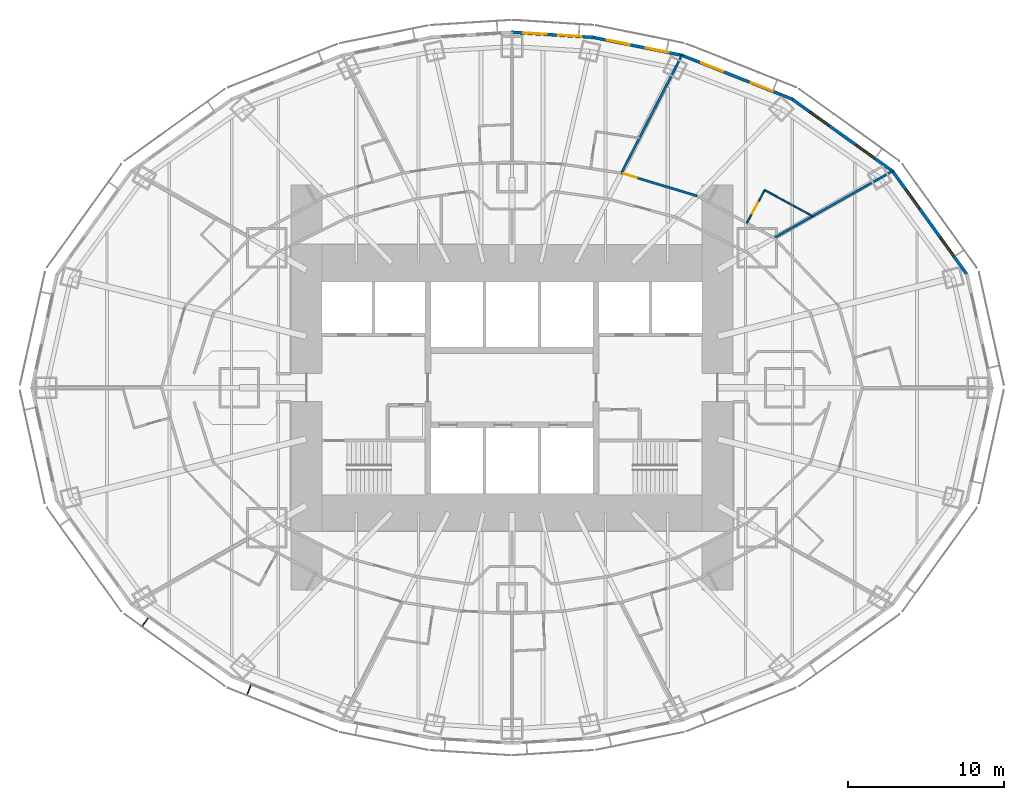
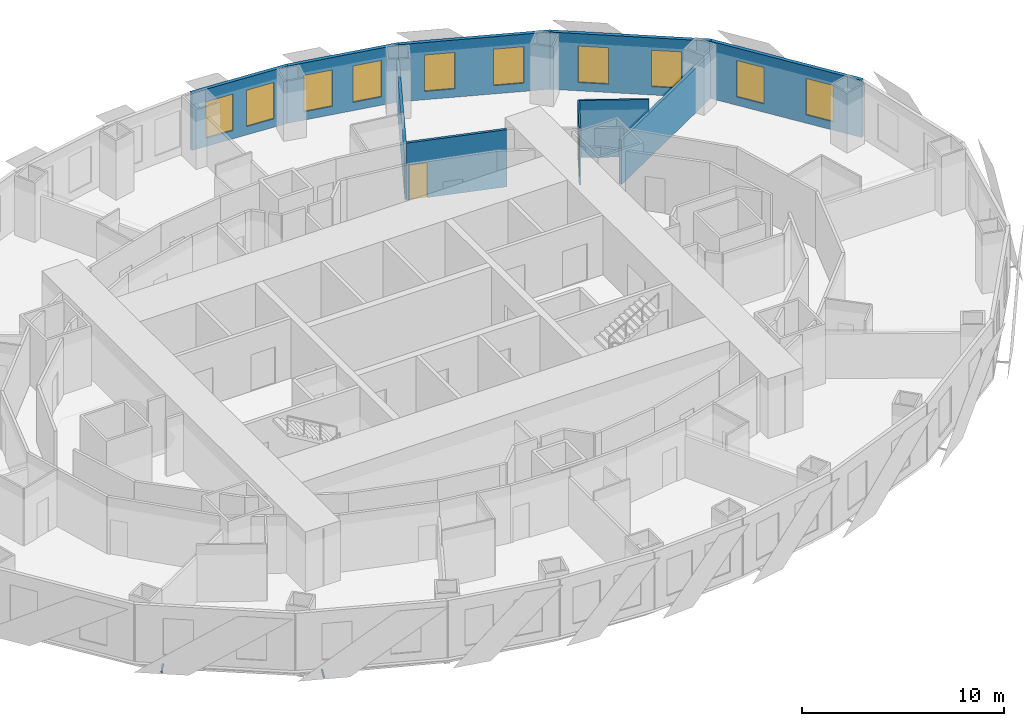
# One storey, part 10 of 15: 10 walls, 10 windows, 2 discrete accessories, 2 doors, 12 openings.
"""IFC4 building model written with IfcOpenShell, lengths in metres."""

from ifc_helpers import new_model, si_unit, direction, frame, frame_2d, origin, origin_2d, place, context, subcontext, project, spatial, rectangle, extrude, material, layer, layer_set, type_object, element, fill, save


model = new_model("IFC4")

# Units and contexts
model_context = context("Model", 3, precision=1e-05, world=origin(), true_north=direction((0.0, 1.0)))
body_context = subcontext(model_context, "Body", "Model", "MODEL_VIEW")
ifc_project = project(units=[si_unit("LENGTHUNIT", "METRE"), si_unit("AREAUNIT", "SQUARE_METRE"), si_unit("VOLUMEUNIT", "CUBIC_METRE"), si_unit("PLANEANGLEUNIT", "RADIAN"), si_unit("MASSUNIT", "GRAM", prefix="KILO")], contexts=[model_context])

# Site, building, storey
site_placement = place(None, origin())
site = spatial("IfcSite", under=ifc_project, at=site_placement, CompositionType="ELEMENT")
building_placement = place(site_placement, origin())
building = spatial("IfcBuilding", under=site, at=building_placement, Name="Lantaw Convention Tower", CompositionType="ELEMENT")
storey_placement = place(building_placement, frame((0.0, 0.0, 83.800048828125)))
storey = spatial("IfcBuildingStorey", under=building, at=storey_placement, Name="L19", CompositionType="ELEMENT", Elevation=83.800048828125)

# Wall, opening, door
ifc_material_1 = material(Name="Moisture resistant gypsum board on steel studs", Category="steel")
ifc_layer_1 = layer(ifc_material_1, 0.10009765625)
ifc_layer_set_1 = layer_set([ifc_layer_1], Name="Bathroom wall 100")
wall_type_1 = type_object("IfcWallType", Name="Bathroom wall 100", PredefinedType="PARTITIONING", material=ifc_layer_set_1)
wall_1_placement = place(storey_placement, frame((15.078125, 10.57568359375, 0.0), z_axis=(0.0, 0.0, 1.0), x_axis=(0.477832549678, 0.878450940274, 0.0)))
wall_1 = element("IfcWall", 1, at=wall_1_placement, inside=storey, type_object=wall_type_1, Name="Bathroom wall 100", PredefinedType="PARTITIONING", context=body_context, shape_type="SweptSolid", body=[
    extrude(rectangle(XDim=2.39990234375, YDim=0.10009765625, at=frame_2d((1.199951171875, 0.0))), origin(), (0.0, 0.0, 1.0), 3.449951171875),
])
opening_1_placement = place(wall_1_placement, frame((0.699951171875, 0.0, 0.0)))
opening_1 = element("IfcOpeningElement", 2, at=opening_1_placement, cuts=wall_1, Name="Opening L19.27", PredefinedType="OPENING", context=body_context, shape_type="SweptSolid", body=[
    extrude(rectangle(XDim=0.800048828125, YDim=2.10009765625, at=frame_2d((0.39990234375, 1.050048828125))), frame((0.0, 0.06005859375, 0.0), z_axis=(0.0, -1.0, 0.0), x_axis=(1.0, 0.0, 0.0)), (0.0, 0.0, 1.0), 0.1201171875),
])
ifc_material_2 = material(Name="Timber", Category="wood")
door_type_1 = type_object("IfcDoorType", Name="Bathroom door 800", OperationType="SINGLE_SWING_LEFT", PredefinedType="DOOR", material=ifc_material_2)
door_1_placement = place(opening_1_placement, origin())
door_1 = element("IfcDoor", 3, at=door_1_placement, inside=storey, type_object=door_type_1, Name="Bathroom door", OperationType="SINGLE_SWING_LEFT", OverallHeight=2.10009765625, OverallWidth=0.800048828125, PredefinedType="DOOR", context=body_context, shape_type="SweptSolid", body=[
    extrude(rectangle(XDim=0.800048828125, YDim=2.10009765625, at=frame_2d((0.39990234375, 1.050048828125))), frame((0.0, 0.02490234375, 0.0), z_axis=(0.0, -1.0, 0.0), x_axis=(1.0, 0.0, 0.0)), (0.0, 0.0, 1.0), 0.050048828125),
])
fill(opening_1, door_1)

# Wall
wall_2_placement = place(storey_placement, frame((16.224853515625, 12.683837890625, 0.0), z_axis=(0.0, 0.0, 1.0), x_axis=(0.878473578893, -0.477790928322, 0.0)))
element("IfcWall", 4, at=wall_2_placement, inside=storey, type_object=wall_type_1, Name="Bathroom wall 100", PredefinedType="PARTITIONING", context=body_context, shape_type="SweptSolid", body=[
    extrude(rectangle(XDim=3.48291015625, YDim=0.10009765625, at=frame_2d((1.741455078125, 0.0))), origin(), (0.0, 0.0, 1.0), 3.449951171875),
])

# Wall, opening, door
ifc_material_3 = material(Name="Gypsum board on steel studs, fire rated", Category="steel")
ifc_layer_2 = layer(ifc_material_3, 0.14990234375)
ifc_layer_set_2 = layer_set([ifc_layer_2], Name="Corridor wall 150 EI 60")
wall_type_2 = type_object("IfcWallType", Name="Corridor wall 150 EI 60", PredefinedType="PARTITIONING", material=ifc_layer_set_2)
wall_3_placement = place(storey_placement, frame((11.888427734375, 12.310791015625, 0.0), z_axis=(0.0, 0.0, 1.0), x_axis=(-0.957564241242, 0.288219922793, 0.0)))
wall_3 = element("IfcWall", 5, at=wall_3_placement, inside=storey, type_object=wall_type_2, Name="Corridor wall 150", PredefinedType="PARTITIONING", context=body_context, shape_type="SweptSolid", body=[
    extrude(rectangle(XDim=5.0849609375, YDim=0.14990234375, at=frame_2d((2.54248046875, 0.0))), origin(), (0.0, 0.0, 1.0), 3.449951171875),
])
opening_2_placement = place(wall_3_placement, frame((4.03466796875, 0.0, 0.0)))
opening_2 = element("IfcOpeningElement", 6, at=opening_2_placement, cuts=wall_3, Name="Opening L19.28", PredefinedType="OPENING", context=body_context, shape_type="SweptSolid", body=[
    extrude(rectangle(XDim=0.89990234375, YDim=2.10009765625, at=frame_2d((0.449951171875, 1.050048828125))), frame((0.0, 0.0849609375, 0.0), z_axis=(0.0, -1.0, 0.0), x_axis=(1.0, 0.0, 0.0)), (0.0, 0.0, 1.0), 0.169921875),
])
ifc_material_4 = material(Name="Steel, fire rated", Category="steel")
door_type_2 = type_object("IfcDoorType", Name="Guest room entrance door FD30S", OperationType="SINGLE_SWING_LEFT", PredefinedType="DOOR", material=ifc_material_4)
door_2_placement = place(opening_2_placement, origin())
door_2 = element("IfcDoor", 7, at=door_2_placement, inside=storey, type_object=door_type_2, Name="Junior suite entrance door", OperationType="SINGLE_SWING_LEFT", OverallHeight=2.10009765625, OverallWidth=0.89990234375, PredefinedType="DOOR", context=body_context, shape_type="SweptSolid", body=[
    extrude(rectangle(XDim=0.89990234375, YDim=2.10009765625, at=frame_2d((0.449951171875, 1.050048828125))), frame((0.0, 0.02490234375, 0.0), z_axis=(0.0, -1.0, 0.0), x_axis=(1.0, 0.0, 0.0)), (0.0, 0.0, 1.0), 0.050048828125),
])
fill(opening_2, door_2)

# Wall, openings, windows
ifc_material_5 = material(Name="Insulated aluminium panel on steel frame", Category="steel")
ifc_layer_3 = layer(ifc_material_5, 0.199951171875)
ifc_layer_set_3 = layer_set([ifc_layer_3], Name="External wall 200")
wall_type_3 = type_object("IfcWallType", Name="External wall 200", PredefinedType="SOLIDWALL", material=ifc_layer_set_3)
wall_4_placement = place(storey_placement, frame((29.260498046875, 7.199951171875, 0.0), z_axis=(0.0, 0.0, 1.0), x_axis=(-0.583937613703, 0.811798536155, 0.0)))
wall_4 = element("IfcWall", 8, at=wall_4_placement, inside=storey, type_object=wall_type_3, Name="Facade panel wall", PredefinedType="SOLIDWALL", context=body_context, shape_type="SweptSolid", body=[
    extrude(rectangle(XDim=8.322998046875, YDim=0.199951171875, at=frame_2d((4.16162109375, 0.0))), origin(), (0.0, 0.0, 1.0), 3.449951171875),
])
opening_3_placement = place(wall_4_placement, frame((1.53076171875, 0.0, 0.5)))
opening_3 = element("IfcOpeningElement", 9, at=opening_3_placement, cuts=wall_4, Name="Opening W2", PredefinedType="OPENING", context=body_context, shape_type="SweptSolid", body=[
    extrude(rectangle(XDim=1.5, YDim=2.199951171875, at=frame_2d((0.75, 1.10009765625))), frame((0.0, 0.10986328125, 0.0), z_axis=(0.0, -1.0, 0.0), x_axis=(1.0, 0.0, 0.0)), (0.0, 0.0, 1.0), 0.219970703125),
])
opening_4_placement = place(wall_4_placement, frame((5.292236328125, 0.0, 0.5)))
opening_4 = element("IfcOpeningElement", 10, at=opening_4_placement, cuts=wall_4, Name="Opening W2", PredefinedType="OPENING", context=body_context, shape_type="SweptSolid", body=[
    extrude(rectangle(XDim=1.5, YDim=2.199951171875, at=frame_2d((0.75, 1.10009765625))), frame((0.0, 0.10986328125, 0.0), z_axis=(0.0, -1.0, 0.0), x_axis=(1.0, 0.0, 0.0)), (0.0, 0.0, 1.0), 0.219970703125),
])
ifc_material_6 = material(Name="Aluminium frame, clear insulating glass", Category="aluminium")
window_type = type_object("IfcWindowType", Name="Suite window 1500x2200", PartitioningType="SINGLE_PANEL", PredefinedType="WINDOW", material=ifc_material_6)
window_1_placement = place(opening_3_placement, origin())
window_1 = element("IfcWindow", 11, at=window_1_placement, inside=storey, type_object=window_type, Name="Guest room window", OverallHeight=2.199951171875, OverallWidth=1.5, PartitioningType="SINGLE_PANEL", PredefinedType="WINDOW", context=body_context, shape_type="SweptSolid", body=[
    extrude(rectangle(XDim=1.5, YDim=2.199951171875, at=frame_2d((0.75, 1.10009765625))), frame((0.0, 0.030029296875, 0.0), z_axis=(0.0, -1.0, 0.0), x_axis=(1.0, 0.0, 0.0)), (0.0, 0.0, 1.0), 0.06005859375),
])
fill(opening_3, window_1)
window_2_placement = place(opening_4_placement, origin())
window_2 = element("IfcWindow", 12, at=window_2_placement, inside=storey, type_object=window_type, Name="Guest room window", OverallHeight=2.199951171875, OverallWidth=1.5, PartitioningType="SINGLE_PANEL", PredefinedType="WINDOW", context=body_context, shape_type="SweptSolid", body=[
    extrude(rectangle(XDim=1.5, YDim=2.199951171875, at=frame_2d((0.75, 1.10009765625))), frame((0.0, 0.030029296875, 0.0), z_axis=(0.0, -1.0, 0.0), x_axis=(1.0, 0.0, 0.0)), (0.0, 0.0, 1.0), 0.06005859375),
])
fill(opening_4, window_2)

wall_5_placement = place(storey_placement, frame((24.482421875, 13.87451171875, 0.0), z_axis=(0.0, 0.0, 1.0), x_axis=(-0.812791321576, 0.582554948112, 0.0)))
wall_5 = element("IfcWall", 13, at=wall_5_placement, inside=storey, type_object=wall_type_3, Name="Facade panel wall", PredefinedType="SOLIDWALL", context=body_context, shape_type="SweptSolid", body=[
    extrude(rectangle(XDim=8.063232421875, YDim=0.199951171875, at=frame_2d((4.03173828125, 0.0))), origin(), (0.0, 0.0, 1.0), 3.449951171875),
])
opening_5_placement = place(wall_5_placement, frame((1.4658203125, 0.0, 0.5)))
opening_5 = element("IfcOpeningElement", 14, at=opening_5_placement, cuts=wall_5, Name="Opening W2", PredefinedType="OPENING", context=body_context, shape_type="SweptSolid", body=[
    extrude(rectangle(XDim=1.5, YDim=2.199951171875, at=frame_2d((0.75, 1.10009765625))), frame((0.0, 0.10986328125, 0.0), z_axis=(0.0, -1.0, 0.0), x_axis=(1.0, 0.0, 0.0)), (0.0, 0.0, 1.0), 0.219970703125),
])
opening_6_placement = place(wall_5_placement, frame((5.097412109375, 0.0, 0.5)))
opening_6 = element("IfcOpeningElement", 15, at=opening_6_placement, cuts=wall_5, Name="Opening W2", PredefinedType="OPENING", context=body_context, shape_type="SweptSolid", body=[
    extrude(rectangle(XDim=1.5, YDim=2.199951171875, at=frame_2d((0.75, 1.10009765625))), frame((0.0, 0.10986328125, 0.0), z_axis=(0.0, -1.0, 0.0), x_axis=(1.0, 0.0, 0.0)), (0.0, 0.0, 1.0), 0.219970703125),
])
window_3_placement = place(opening_5_placement, origin())
window_3 = element("IfcWindow", 16, at=window_3_placement, inside=storey, type_object=window_type, Name="Guest room window", OverallHeight=2.199951171875, OverallWidth=1.5, PartitioningType="SINGLE_PANEL", PredefinedType="WINDOW", context=body_context, shape_type="SweptSolid", body=[
    extrude(rectangle(XDim=1.5, YDim=2.199951171875, at=frame_2d((0.75, 1.10009765625))), frame((0.0, 0.030029296875, 0.0), z_axis=(0.0, -1.0, 0.0), x_axis=(1.0, 0.0, 0.0)), (0.0, 0.0, 1.0), 0.06005859375),
])
fill(opening_5, window_3)
window_4_placement = place(opening_6_placement, origin())
window_4 = element("IfcWindow", 17, at=window_4_placement, inside=storey, type_object=window_type, Name="Guest room window", OverallHeight=2.199951171875, OverallWidth=1.5, PartitioningType="SINGLE_PANEL", PredefinedType="WINDOW", context=body_context, shape_type="SweptSolid", body=[
    extrude(rectangle(XDim=1.5, YDim=2.199951171875, at=frame_2d((0.75, 1.10009765625))), frame((0.0, 0.030029296875, 0.0), z_axis=(0.0, -1.0, 0.0), x_axis=(1.0, 0.0, 0.0)), (0.0, 0.0, 1.0), 0.06005859375),
])
fill(opening_6, window_4)

wall_6_placement = place(storey_placement, frame((18.018310546875, 18.522705078125, 0.0), z_axis=(0.0, 0.0, 1.0), x_axis=(-0.929358351251, 0.369178892895, 0.0)))
wall_6 = element("IfcWall", 18, at=wall_6_placement, inside=storey, type_object=wall_type_3, Name="Facade panel wall", PredefinedType="SOLIDWALL", context=body_context, shape_type="SweptSolid", body=[
    extrude(rectangle(XDim=7.6923828125, YDim=0.199951171875, at=frame_2d((3.84619140625, 0.0))), origin(), (0.0, 0.0, 1.0), 3.449951171875),
])
opening_7_placement = place(wall_6_placement, frame((1.373046875, 0.0, 0.5)))
opening_7 = element("IfcOpeningElement", 19, at=opening_7_placement, cuts=wall_6, Name="Opening W2", PredefinedType="OPENING", context=body_context, shape_type="SweptSolid", body=[
    extrude(rectangle(XDim=1.5, YDim=2.199951171875, at=frame_2d((0.75, 1.10009765625))), frame((0.0, 0.10986328125, 0.0), z_axis=(0.0, -1.0, 0.0), x_axis=(1.0, 0.0, 0.0)), (0.0, 0.0, 1.0), 0.219970703125),
])
opening_8_placement = place(wall_6_placement, frame((4.819091796875, 0.0, 0.5)))
opening_8 = element("IfcOpeningElement", 20, at=opening_8_placement, cuts=wall_6, Name="Opening W2", PredefinedType="OPENING", context=body_context, shape_type="SweptSolid", body=[
    extrude(rectangle(XDim=1.5, YDim=2.199951171875, at=frame_2d((0.75, 1.10009765625))), frame((0.0, 0.10986328125, 0.0), z_axis=(0.0, -1.0, 0.0), x_axis=(1.0, 0.0, 0.0)), (0.0, 0.0, 1.0), 0.219970703125),
])
window_5_placement = place(opening_7_placement, origin())
window_5 = element("IfcWindow", 21, at=window_5_placement, inside=storey, type_object=window_type, Name="Guest room window", OverallHeight=2.199951171875, OverallWidth=1.5, PartitioningType="SINGLE_PANEL", PredefinedType="WINDOW", context=body_context, shape_type="SweptSolid", body=[
    extrude(rectangle(XDim=1.5, YDim=2.199951171875, at=frame_2d((0.75, 1.10009765625))), frame((0.0, 0.030029296875, 0.0), z_axis=(0.0, -1.0, 0.0), x_axis=(1.0, 0.0, 0.0)), (0.0, 0.0, 1.0), 0.06005859375),
])
fill(opening_7, window_5)
window_6_placement = place(opening_8_placement, origin())
window_6 = element("IfcWindow", 22, at=window_6_placement, inside=storey, type_object=window_type, Name="Guest room window", OverallHeight=2.199951171875, OverallWidth=1.5, PartitioningType="SINGLE_PANEL", PredefinedType="WINDOW", context=body_context, shape_type="SweptSolid", body=[
    extrude(rectangle(XDim=1.5, YDim=2.199951171875, at=frame_2d((0.75, 1.10009765625))), frame((0.0, 0.030029296875, 0.0), z_axis=(0.0, -1.0, 0.0), x_axis=(1.0, 0.0, 0.0)), (0.0, 0.0, 1.0), 0.06005859375),
])
fill(opening_8, window_6)

wall_7_placement = place(storey_placement, frame((10.956787109375, 21.336669921875, 0.0), z_axis=(0.0, 0.0, 1.0), x_axis=(-0.980251657452, 0.197754110105, 0.0)))
wall_7 = element("IfcWall", 23, at=wall_7_placement, inside=storey, type_object=wall_type_3, Name="Facade panel wall", PredefinedType="SOLIDWALL", context=body_context, shape_type="SweptSolid", body=[
    extrude(rectangle(XDim=5.90380859375, YDim=0.199951171875, at=frame_2d((2.951904296875, 0.0))), origin(), (0.0, 0.0, 1.0), 3.449951171875),
])
opening_9_placement = place(wall_7_placement, frame((0.92578125, 0.0, 0.5)))
opening_9 = element("IfcOpeningElement", 24, at=opening_9_placement, cuts=wall_7, Name="Opening W2", PredefinedType="OPENING", context=body_context, shape_type="SweptSolid", body=[
    extrude(rectangle(XDim=1.5, YDim=2.199951171875, at=frame_2d((0.75, 1.10009765625))), frame((0.0, 0.10986328125, 0.0), z_axis=(0.0, -1.0, 0.0), x_axis=(1.0, 0.0, 0.0)), (0.0, 0.0, 1.0), 0.219970703125),
])
opening_10_placement = place(wall_7_placement, frame((3.477783203125, 0.0, 0.5)))
opening_10 = element("IfcOpeningElement", 25, at=opening_10_placement, cuts=wall_7, Name="Opening W2", PredefinedType="OPENING", context=body_context, shape_type="SweptSolid", body=[
    extrude(rectangle(XDim=1.5, YDim=2.199951171875, at=frame_2d((0.75, 1.10009765625))), frame((0.0, 0.10986328125, 0.0), z_axis=(0.0, -1.0, 0.0), x_axis=(1.0, 0.0, 0.0)), (0.0, 0.0, 1.0), 0.219970703125),
])
window_7_placement = place(opening_9_placement, origin())
window_7 = element("IfcWindow", 26, at=window_7_placement, inside=storey, type_object=window_type, Name="Guest room window", OverallHeight=2.199951171875, OverallWidth=1.5, PartitioningType="SINGLE_PANEL", PredefinedType="WINDOW", context=body_context, shape_type="SweptSolid", body=[
    extrude(rectangle(XDim=1.5, YDim=2.199951171875, at=frame_2d((0.75, 1.10009765625))), frame((0.0, 0.030029296875, 0.0), z_axis=(0.0, -1.0, 0.0), x_axis=(1.0, 0.0, 0.0)), (0.0, 0.0, 1.0), 0.06005859375),
])
fill(opening_9, window_7)
window_8_placement = place(opening_10_placement, origin())
window_8 = element("IfcWindow", 27, at=window_8_placement, inside=storey, type_object=window_type, Name="Guest room window", OverallHeight=2.199951171875, OverallWidth=1.5, PartitioningType="SINGLE_PANEL", PredefinedType="WINDOW", context=body_context, shape_type="SweptSolid", body=[
    extrude(rectangle(XDim=1.5, YDim=2.199951171875, at=frame_2d((0.75, 1.10009765625))), frame((0.0, 0.030029296875, 0.0), z_axis=(0.0, -1.0, 0.0), x_axis=(1.0, 0.0, 0.0)), (0.0, 0.0, 1.0), 0.06005859375),
])
fill(opening_10, window_8)

wall_8_placement = place(storey_placement, frame((5.252685546875, 22.493408203125, 0.0), z_axis=(0.0, 0.0, 1.0), x_axis=(-0.998018582375, 0.062919863585, 0.0)))
wall_8 = element("IfcWall", 28, at=wall_8_placement, inside=storey, type_object=wall_type_3, Name="Facade panel wall", PredefinedType="SOLIDWALL", context=body_context, shape_type="SweptSolid", body=[
    extrude(rectangle(XDim=5.30419921875, YDim=0.199951171875, at=frame_2d((2.652099609375, 0.0))), origin(), (0.0, 0.0, 1.0), 3.449951171875),
])
opening_11_placement = place(wall_8_placement, frame((0.77587890625, 0.0, 0.5)))
opening_11 = element("IfcOpeningElement", 29, at=opening_11_placement, cuts=wall_8, Name="Opening W2", PredefinedType="OPENING", context=body_context, shape_type="SweptSolid", body=[
    extrude(rectangle(XDim=1.5, YDim=2.199951171875, at=frame_2d((0.75, 1.10009765625))), frame((0.0, 0.10986328125, 0.0), z_axis=(0.0, -1.0, 0.0), x_axis=(1.0, 0.0, 0.0)), (0.0, 0.0, 1.0), 0.219970703125),
])
opening_12_placement = place(wall_8_placement, frame((3.028076171875, 0.0, 0.5)))
opening_12 = element("IfcOpeningElement", 30, at=opening_12_placement, cuts=wall_8, Name="Opening W2", PredefinedType="OPENING", context=body_context, shape_type="SweptSolid", body=[
    extrude(rectangle(XDim=1.5, YDim=2.199951171875, at=frame_2d((0.75, 1.10009765625))), frame((0.0, 0.10986328125, 0.0), z_axis=(0.0, -1.0, 0.0), x_axis=(1.0, 0.0, 0.0)), (0.0, 0.0, 1.0), 0.219970703125),
])
window_9_placement = place(opening_11_placement, origin())
window_9 = element("IfcWindow", 31, at=window_9_placement, inside=storey, type_object=window_type, Name="Guest room window", OverallHeight=2.199951171875, OverallWidth=1.5, PartitioningType="SINGLE_PANEL", PredefinedType="WINDOW", context=body_context, shape_type="SweptSolid", body=[
    extrude(rectangle(XDim=1.5, YDim=2.199951171875, at=frame_2d((0.75, 1.10009765625))), frame((0.0, 0.030029296875, 0.0), z_axis=(0.0, -1.0, 0.0), x_axis=(1.0, 0.0, 0.0)), (0.0, 0.0, 1.0), 0.06005859375),
])
fill(opening_11, window_9)
window_10_placement = place(opening_12_placement, origin())
window_10 = element("IfcWindow", 32, at=window_10_placement, inside=storey, type_object=window_type, Name="Guest room window", OverallHeight=2.199951171875, OverallWidth=1.5, PartitioningType="SINGLE_PANEL", PredefinedType="WINDOW", context=body_context, shape_type="SweptSolid", body=[
    extrude(rectangle(XDim=1.5, YDim=2.199951171875, at=frame_2d((0.75, 1.10009765625))), frame((0.0, 0.030029296875, 0.0), z_axis=(0.0, -1.0, 0.0), x_axis=(1.0, 0.0, 0.0)), (0.0, 0.0, 1.0), 0.06005859375),
])
fill(opening_12, window_10)

# Walls
ifc_material_7 = material(Name="Gypsum board on steel studs, acoustic", Category="steel")
ifc_layer_4 = layer(ifc_material_7, 0.14990234375)
ifc_layer_set_4 = layer_set([ifc_layer_4], Name="Guest room party wall 150")
wall_type_4 = type_object("IfcWallType", Name="Guest room party wall 150", PredefinedType="PARTITIONING", material=ifc_layer_set_4)
wall_9_placement = place(storey_placement, frame((24.434814453125, 13.90869140625, 0.0), z_axis=(0.0, 0.0, 1.0), x_axis=(-0.87090601027, -0.491449612143, 0.0)))
element("IfcWall", 33, at=wall_9_placement, inside=storey, type_object=wall_type_4, Name="Guest room party wall 150", PredefinedType="PARTITIONING", context=body_context, shape_type="SweptSolid", body=[
    extrude(rectangle(XDim=8.726318359375, YDim=0.14990234375, at=frame_2d((4.36328125, 0.0))), origin(), (0.0, 0.0, 1.0), 2.693115234375),
])
wall_10_placement = place(storey_placement, frame((10.911865234375, 21.345703125, 0.0), z_axis=(0.0, 0.0, 1.0), x_axis=(-0.457327273085, -0.889298468059, 0.0)))
element("IfcWall", 34, at=wall_10_placement, inside=storey, type_object=wall_type_4, Name="Guest room party wall 150", PredefinedType="PARTITIONING", context=body_context, shape_type="SweptSolid", body=[
    extrude(rectangle(XDim=8.511474609375, YDim=0.14990234375, at=frame_2d((4.255859375, 0.0))), origin(), (0.0, 0.0, 1.0), 2.52783203125),
])

# Discrete accessories
for number, where, z_axis, x_axis, name in (
    (35, (-23.564453125, -15.06640625, -0.114990234375), (0.0, 0.0, 1.0), (0.812803733199, -0.5825376308, 0.0), "Screen bracket"),
    (36, (-16.898193359375, -19.4345703125, -0.114990234375), (0.0, 0.0, 1.0), (0.929361152748, -0.369171840425, 0.0), "Screen bracket"),
):
    element("IfcDiscreteAccessory", number, at=place(storey_placement, frame(where, z_axis=z_axis, x_axis=x_axis)), inside=storey, Name=name, PredefinedType="BRACKET", context=body_context, shape_type="SweptSolid", body=[
        extrude(rectangle(XDim=0.080078125, YDim=0.68798828125, at=origin_2d()), origin(), (0.0, 0.0, 1.0), 0.080078125),
    ])

save(model, "model.ifc")
